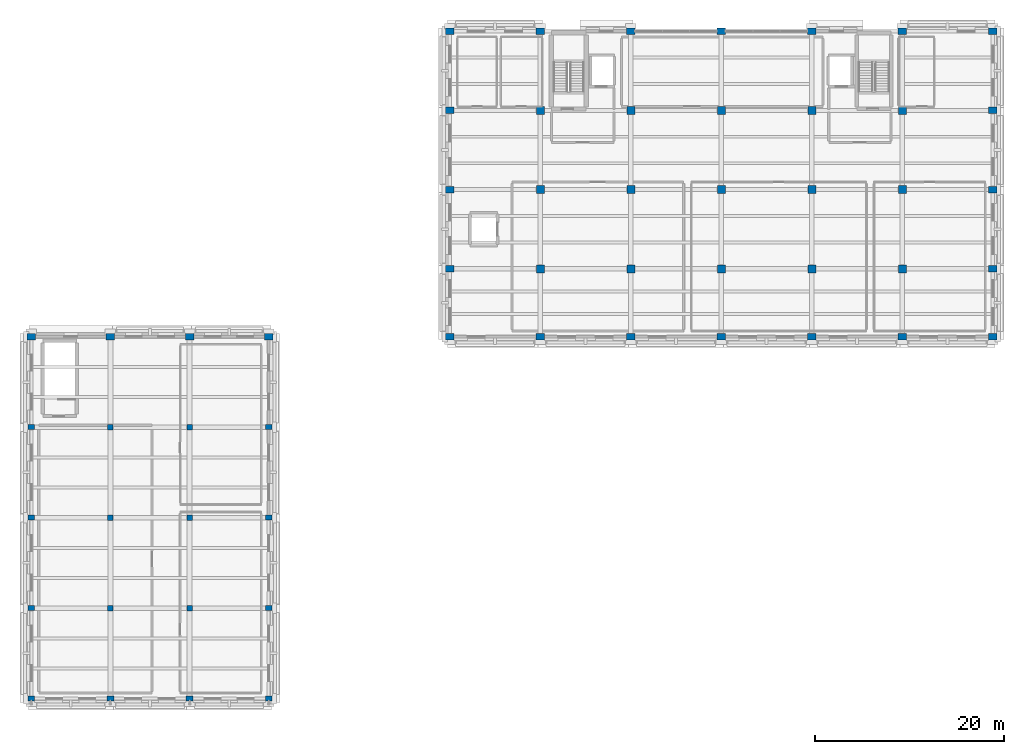
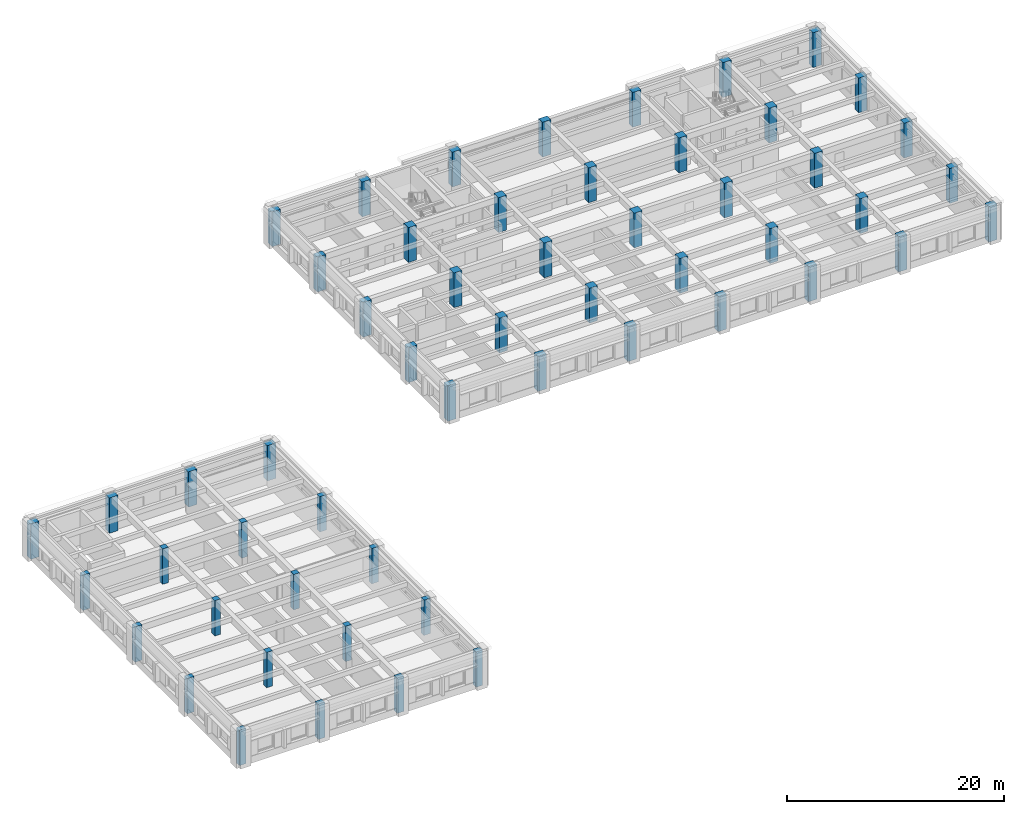
# One storey, part 1 of 17: 55 columns.
"""IFC4 building model written with IfcOpenShell, lengths in metres."""

from ifc_helpers import new_model, si_unit, direction, frame, origin, origin_2d, place, context, subcontext, project, spatial, rectangle, extrude, material, material_profile, profile_set, type_object, element, save


model = new_model("IFC4")

# Units and contexts
model_context = context("Model", 3, precision=1e-05, world=origin(), true_north=direction((0.0, 1.0)))
body_context = subcontext(model_context, "Body", "Model", "MODEL_VIEW")
ifc_project = project(units=[si_unit("LENGTHUNIT", "METRE"), si_unit("AREAUNIT", "SQUARE_METRE"), si_unit("VOLUMEUNIT", "CUBIC_METRE"), si_unit("PLANEANGLEUNIT", "RADIAN"), si_unit("MASSUNIT", "GRAM", prefix="KILO")], contexts=[model_context])

# Site, building, storey
site_placement = place(None, origin())
site = spatial("IfcSite", under=ifc_project, at=site_placement, CompositionType="ELEMENT")
building_placement = place(site_placement, origin())
building = spatial("IfcBuilding", under=site, at=building_placement, Name="Bempovik Park Faculty of Sciences", CompositionType="ELEMENT")
storey_placement = place(building_placement, frame((0.0, 0.0, 22.5)))
storey = spatial("IfcBuildingStorey", under=building, at=storey_placement, Name="L05", CompositionType="ELEMENT", Elevation=22.5)

# Columns
ifc_material = material(Name="Concrete C40/50", Category="concrete")
ifc_material_profile_1 = material_profile(ifc_material, rectangle(XDim=0.719970703125, YDim=0.5400390625, at=origin_2d()), Name="RC 720x540")
ifc_profile_set_1 = profile_set([ifc_material_profile_1], Name="Concrete C40/50")
column_type_1 = type_object("IfcColumnType", Name="C-18 RC 720x540", PredefinedType="COLUMN", material=ifc_profile_set_1)
for number, where, z_axis, x_axis, name in (
    (1, (15.60009765625, 48.60009765625, 0.0), (0.0, 0.0, 1.0), (1.0, 0.0, 0.0), "L05 Structural Column (15.6,48.6)"),
    (2, (15.60009765625, 58.199951171875, 0.0), (0.0, 0.0, 1.0), (1.0, 0.0, 0.0), "L05 Structural Column (15.6,58.2)"),
    (3, (15.60009765625, 67.800048828125, 0.0), (0.0, 0.0, 1.0), (1.0, 0.0, 0.0), "L05 Structural Column (15.6,67.8)"),
    (4, (15.60009765625, 77.39990234375, 0.0), (0.0, 0.0, 1.0), (1.0, 0.0, 0.0), "L05 Structural Column (15.6,77.4)"),
    (5, (24.0, 48.60009765625, 0.0), (0.0, 0.0, 1.0), (1.0, 0.0, 0.0), "L05 Structural Column (24.0,48.6)"),
    (6, (32.39990234375, 48.60009765625, 0.0), (0.0, 0.0, 1.0), (1.0, 0.0, 0.0), "L05 Structural Column (32.4,48.6)"),
    (7, (40.800048828125, 48.60009765625, 0.0), (0.0, 0.0, 1.0), (1.0, 0.0, 0.0), "L05 Structural Column (40.8,48.6)"),
    (8, (40.800048828125, 58.199951171875, 0.0), (0.0, 0.0, 1.0), (1.0, 0.0, 0.0), "L05 Structural Column (40.8,58.2)"),
    (9, (40.800048828125, 67.800048828125, 0.0), (0.0, 0.0, 1.0), (1.0, 0.0, 0.0), "L05 Structural Column (40.8,67.8)"),
    (10, (40.800048828125, 77.39990234375, 0.0), (0.0, 0.0, 1.0), (1.0, 0.0, 0.0), "L05 Structural Column (40.8,77.4)"),
):
    element("IfcColumn", number, at=place(storey_placement, frame(where, z_axis=z_axis, x_axis=x_axis)), inside=storey, type_object=column_type_1, Name=name, PredefinedType="COLUMN", context=body_context, shape_type="SweptSolid", body=[
        extrude(rectangle(XDim=0.719970703125, YDim=0.5400390625, at=origin_2d()), origin(), (0.0, 0.0, 1.0), 3.97998046875),
    ])
ifc_material_profile_2 = material_profile(ifc_material, rectangle(XDim=0.60009765625, YDim=0.60009765625, at=origin_2d()), Name="RC 600x600")
ifc_profile_set_2 = profile_set([ifc_material_profile_2], Name="Concrete C40/50")
column_type_2 = type_object("IfcColumnType", Name="C-21 RC 600x600", PredefinedType="COLUMN", material=ifc_profile_set_2)
for number, where, z_axis, x_axis, name in (
    (11, (24.0, 58.199951171875, 0.0), (0.0, 0.0, 1.0), (1.0, 0.0, 0.0), "L05 Structural Column (24.0,58.2)"),
    (12, (24.0, 67.800048828125, 0.0), (0.0, 0.0, 1.0), (1.0, 0.0, 0.0), "L05 Structural Column (24.0,67.8)"),
    (13, (24.0, 77.39990234375, 0.0), (0.0, 0.0, 1.0), (1.0, 0.0, 0.0), "L05 Structural Column (24.0,77.4)"),
    (14, (32.39990234375, 58.199951171875, 0.0), (0.0, 0.0, 1.0), (1.0, 0.0, 0.0), "L05 Structural Column (32.4,58.2)"),
    (15, (32.39990234375, 67.800048828125, 0.0), (0.0, 0.0, 1.0), (1.0, 0.0, 0.0), "L05 Structural Column (32.4,67.8)"),
    (16, (32.39990234375, 77.39990234375, 0.0), (0.0, 0.0, 1.0), (1.0, 0.0, 0.0), "L05 Structural Column (32.4,77.4)"),
):
    element("IfcColumn", number, at=place(storey_placement, frame(where, z_axis=z_axis, x_axis=x_axis)), inside=storey, type_object=column_type_2, Name=name, PredefinedType="COLUMN", context=body_context, shape_type="SweptSolid", body=[
        extrude(rectangle(XDim=0.60009765625, YDim=0.60009765625, at=origin_2d()), origin(), (0.0, 0.0, 1.0), 3.97998046875),
    ])
ifc_material_profile_3 = material_profile(ifc_material, rectangle(XDim=0.89990234375, YDim=0.699951171875, at=origin_2d()), Name="RC 900x700")
ifc_profile_set_3 = profile_set([ifc_material_profile_3], Name="Concrete C40/50")
column_type_3 = type_object("IfcColumnType", Name="C-25 RC 900x700", PredefinedType="COLUMN", material=ifc_profile_set_3)
for number, where, z_axis, x_axis, name in (
    (17, (15.60009765625, 87.0, 0.0), (0.0, 0.0, 1.0), (1.0, 0.0, 0.0), "L05 Structural Column (15.6,87.0)"),
    (18, (24.0, 87.0, 0.0), (0.0, 0.0, 1.0), (1.0, 0.0, 0.0), "L05 Structural Column (24.0,87.0)"),
    (19, (32.39990234375, 87.0, 0.0), (0.0, 0.0, 1.0), (1.0, 0.0, 0.0), "L05 Structural Column (32.4,87.0)"),
    (20, (40.800048828125, 87.0, 0.0), (0.0, 0.0, 1.0), (1.0, 0.0, 0.0), "L05 Structural Column (40.8,87.0)"),
    (21, (60.0, 87.0, 0.0), (0.0, 0.0, 1.0), (1.0, 0.0, 0.0), "L05 Structural Column (60.0,87.0)"),
):
    element("IfcColumn", number, at=place(storey_placement, frame(where, z_axis=z_axis, x_axis=x_axis)), inside=storey, type_object=column_type_3, Name=name, PredefinedType="COLUMN", context=body_context, shape_type="SweptSolid", body=[
        extrude(rectangle(XDim=0.89990234375, YDim=0.699951171875, at=origin_2d()), origin(), (0.0, 0.0, 1.0), 3.97998046875),
    ])
for number, where, z_axis, x_axis, name in (
    (22, (60.0, 94.199951171875, 0.0), (0.0, 0.0, 1.0), (1.0, 0.0, 0.0), "L05 Structural Column (60.0,94.2)"),
    (23, (60.0, 102.60009765625, 0.0), (0.0, 0.0, 1.0), (1.0, 0.0, 0.0), "L05 Structural Column (60.0,102.6)"),
    (24, (60.0, 111.0, 0.0), (0.0, 0.0, 1.0), (1.0, 0.0, 0.0), "L05 Structural Column (60.0,111.0)"),
    (25, (60.0, 119.39990234375, 0.0), (0.0, 0.0, 1.0), (1.0, 0.0, 0.0), "L05 Structural Column (60.0,119.4)"),
):
    element("IfcColumn", number, at=place(storey_placement, frame(where, z_axis=z_axis, x_axis=x_axis)), inside=storey, type_object=column_type_3, Name=name, PredefinedType="COLUMN", context=body_context, shape_type="SweptSolid", body=[
        extrude(rectangle(XDim=0.89990234375, YDim=0.699951171875, at=origin_2d()), origin(), (0.0, 0.0, 1.0), 3.919921875),
    ])
column_1_placement = place(storey_placement, frame((69.60009765625, 87.0, 0.0), z_axis=(0.0, 0.0, 1.0), x_axis=(1.0, 0.0, 0.0)))
element("IfcColumn", 26, at=column_1_placement, inside=storey, type_object=column_type_3, Name="L05 Structural Column (69.6,87.0)", PredefinedType="COLUMN", context=body_context, shape_type="SweptSolid", body=[
    extrude(rectangle(XDim=0.89990234375, YDim=0.699951171875, at=origin_2d()), origin(), (0.0, 0.0, 1.0), 3.9599609375),
])
column_2_placement = place(storey_placement, frame((69.60009765625, 119.39990234375, 0.0), z_axis=(0.0, 0.0, 1.0), x_axis=(1.0, 0.0, 0.0)))
element("IfcColumn", 27, at=column_2_placement, inside=storey, type_object=column_type_3, Name="L05 Structural Column (69.6,119.4)", PredefinedType="COLUMN", context=body_context, shape_type="SweptSolid", body=[
    extrude(rectangle(XDim=0.89990234375, YDim=0.699951171875, at=origin_2d()), origin(), (0.0, 0.0, 1.0), 3.919921875),
])
column_3_placement = place(storey_placement, frame((79.199951171875, 87.0, 0.0), z_axis=(0.0, 0.0, 1.0), x_axis=(1.0, 0.0, 0.0)))
element("IfcColumn", 28, at=column_3_placement, inside=storey, type_object=column_type_3, Name="L05 Structural Column (79.2,87.0)", PredefinedType="COLUMN", context=body_context, shape_type="SweptSolid", body=[
    extrude(rectangle(XDim=0.89990234375, YDim=0.699951171875, at=origin_2d()), origin(), (0.0, 0.0, 1.0), 3.9599609375),
])
column_4_placement = place(storey_placement, frame((79.199951171875, 119.39990234375, 0.0), z_axis=(0.0, 0.0, 1.0), x_axis=(1.0, 0.0, 0.0)))
element("IfcColumn", 29, at=column_4_placement, inside=storey, type_object=column_type_3, Name="L05 Structural Column (79.2,119.4)", PredefinedType="COLUMN", context=body_context, shape_type="SweptSolid", body=[
    extrude(rectangle(XDim=0.89990234375, YDim=0.699951171875, at=origin_2d()), origin(), (0.0, 0.0, 1.0), 3.919921875),
])
column_5_placement = place(storey_placement, frame((88.800048828125, 87.0, 0.0), z_axis=(0.0, 0.0, 1.0), x_axis=(1.0, 0.0, 0.0)))
element("IfcColumn", 30, at=column_5_placement, inside=storey, type_object=column_type_3, Name="L05 Structural Column (88.8,87.0)", PredefinedType="COLUMN", context=body_context, shape_type="SweptSolid", body=[
    extrude(rectangle(XDim=0.89990234375, YDim=0.699951171875, at=origin_2d()), origin(), (0.0, 0.0, 1.0), 3.9599609375),
])
column_6_placement = place(storey_placement, frame((88.800048828125, 119.39990234375, 0.0), z_axis=(0.0, 0.0, 1.0), x_axis=(1.0, 0.0, 0.0)))
element("IfcColumn", 31, at=column_6_placement, inside=storey, type_object=column_type_3, Name="L05 Structural Column (88.8,119.4)", PredefinedType="COLUMN", context=body_context, shape_type="SweptSolid", body=[
    extrude(rectangle(XDim=0.89990234375, YDim=0.699951171875, at=origin_2d()), origin(), (0.0, 0.0, 1.0), 3.919921875),
])
column_7_placement = place(storey_placement, frame((98.39990234375, 87.0, 0.0), z_axis=(0.0, 0.0, 1.0), x_axis=(1.0, 0.0, 0.0)))
element("IfcColumn", 32, at=column_7_placement, inside=storey, type_object=column_type_3, Name="L05 Structural Column (98.4,87.0)", PredefinedType="COLUMN", context=body_context, shape_type="SweptSolid", body=[
    extrude(rectangle(XDim=0.89990234375, YDim=0.699951171875, at=origin_2d()), origin(), (0.0, 0.0, 1.0), 3.9599609375),
])
column_8_placement = place(storey_placement, frame((98.39990234375, 119.39990234375, 0.0), z_axis=(0.0, 0.0, 1.0), x_axis=(1.0, 0.0, 0.0)))
element("IfcColumn", 33, at=column_8_placement, inside=storey, type_object=column_type_3, Name="L05 Structural Column (98.4,119.4)", PredefinedType="COLUMN", context=body_context, shape_type="SweptSolid", body=[
    extrude(rectangle(XDim=0.89990234375, YDim=0.699951171875, at=origin_2d()), origin(), (0.0, 0.0, 1.0), 3.919921875),
])
column_9_placement = place(storey_placement, frame((108.0, 87.0, 0.0), z_axis=(0.0, 0.0, 1.0), x_axis=(1.0, 0.0, 0.0)))
element("IfcColumn", 34, at=column_9_placement, inside=storey, type_object=column_type_3, Name="L05 Structural Column (108.0,87.0)", PredefinedType="COLUMN", context=body_context, shape_type="SweptSolid", body=[
    extrude(rectangle(XDim=0.89990234375, YDim=0.699951171875, at=origin_2d()), origin(), (0.0, 0.0, 1.0), 3.9599609375),
])
column_10_placement = place(storey_placement, frame((108.0, 119.39990234375, 0.0), z_axis=(0.0, 0.0, 1.0), x_axis=(1.0, 0.0, 0.0)))
element("IfcColumn", 35, at=column_10_placement, inside=storey, type_object=column_type_3, Name="L05 Structural Column (108.0,119.4)", PredefinedType="COLUMN", context=body_context, shape_type="SweptSolid", body=[
    extrude(rectangle(XDim=0.89990234375, YDim=0.699951171875, at=origin_2d()), origin(), (0.0, 0.0, 1.0), 3.919921875),
])
column_11_placement = place(storey_placement, frame((117.60009765625, 87.0, 0.0), z_axis=(0.0, 0.0, 1.0), x_axis=(1.0, 0.0, 0.0)))
element("IfcColumn", 36, at=column_11_placement, inside=storey, type_object=column_type_3, Name="L05 Structural Column (117.6,87.0)", PredefinedType="COLUMN", context=body_context, shape_type="SweptSolid", body=[
    extrude(rectangle(XDim=0.89990234375, YDim=0.699951171875, at=origin_2d()), origin(), (0.0, 0.0, 1.0), 3.97998046875),
])
for number, where, z_axis, x_axis, name in (
    (37, (117.60009765625, 94.199951171875, 0.0), (0.0, 0.0, 1.0), (1.0, 0.0, 0.0), "L05 Structural Column (117.6,94.2)"),
    (38, (117.60009765625, 102.60009765625, 0.0), (0.0, 0.0, 1.0), (1.0, 0.0, 0.0), "L05 Structural Column (117.6,102.6)"),
    (39, (117.60009765625, 111.0, 0.0), (0.0, 0.0, 1.0), (1.0, 0.0, 0.0), "L05 Structural Column (117.6,111.0)"),
    (40, (117.60009765625, 119.39990234375, 0.0), (0.0, 0.0, 1.0), (1.0, 0.0, 0.0), "L05 Structural Column (117.6,119.4)"),
):
    element("IfcColumn", number, at=place(storey_placement, frame(where, z_axis=z_axis, x_axis=x_axis)), inside=storey, type_object=column_type_3, Name=name, PredefinedType="COLUMN", context=body_context, shape_type="SweptSolid", body=[
        extrude(rectangle(XDim=0.89990234375, YDim=0.699951171875, at=origin_2d()), origin(), (0.0, 0.0, 1.0), 3.919921875),
    ])
ifc_material_profile_4 = material_profile(ifc_material, rectangle(XDim=0.85009765625, YDim=0.85009765625, at=origin_2d()), Name="RC 850x850")
ifc_profile_set_4 = profile_set([ifc_material_profile_4], Name="Concrete C40/50")
column_type_4 = type_object("IfcColumnType", Name="C-36 RC 850x850", PredefinedType="COLUMN", material=ifc_profile_set_4)
for number, where, z_axis, x_axis, name in (
    (41, (69.60009765625, 94.199951171875, 0.0), (0.0, 0.0, 1.0), (1.0, 0.0, 0.0), "L05 Structural Column (69.6,94.2)"),
    (42, (69.60009765625, 102.60009765625, 0.0), (0.0, 0.0, 1.0), (1.0, 0.0, 0.0), "L05 Structural Column (69.6,102.6)"),
    (43, (69.60009765625, 111.0, 0.0), (0.0, 0.0, 1.0), (1.0, 0.0, 0.0), "L05 Structural Column (69.6,111.0)"),
    (44, (79.199951171875, 94.199951171875, 0.0), (0.0, 0.0, 1.0), (1.0, 0.0, 0.0), "L05 Structural Column (79.2,94.2)"),
    (45, (79.199951171875, 102.60009765625, 0.0), (0.0, 0.0, 1.0), (1.0, 0.0, 0.0), "L05 Structural Column (79.2,102.6)"),
    (46, (79.199951171875, 111.0, 0.0), (0.0, 0.0, 1.0), (1.0, 0.0, 0.0), "L05 Structural Column (79.2,111.0)"),
    (47, (88.800048828125, 94.199951171875, 0.0), (0.0, 0.0, 1.0), (1.0, 0.0, 0.0), "L05 Structural Column (88.8,94.2)"),
    (48, (88.800048828125, 102.60009765625, 0.0), (0.0, 0.0, 1.0), (1.0, 0.0, 0.0), "L05 Structural Column (88.8,102.6)"),
    (49, (88.800048828125, 111.0, 0.0), (0.0, 0.0, 1.0), (1.0, 0.0, 0.0), "L05 Structural Column (88.8,111.0)"),
    (50, (98.39990234375, 94.199951171875, 0.0), (0.0, 0.0, 1.0), (1.0, 0.0, 0.0), "L05 Structural Column (98.4,94.2)"),
    (51, (98.39990234375, 102.60009765625, 0.0), (0.0, 0.0, 1.0), (1.0, 0.0, 0.0), "L05 Structural Column (98.4,102.6)"),
    (52, (98.39990234375, 111.0, 0.0), (0.0, 0.0, 1.0), (1.0, 0.0, 0.0), "L05 Structural Column (98.4,111.0)"),
    (53, (108.0, 94.199951171875, 0.0), (0.0, 0.0, 1.0), (1.0, 0.0, 0.0), "L05 Structural Column (108.0,94.2)"),
    (54, (108.0, 102.60009765625, 0.0), (0.0, 0.0, 1.0), (1.0, 0.0, 0.0), "L05 Structural Column (108.0,102.6)"),
    (55, (108.0, 111.0, 0.0), (0.0, 0.0, 1.0), (1.0, 0.0, 0.0), "L05 Structural Column (108.0,111.0)"),
):
    element("IfcColumn", number, at=place(storey_placement, frame(where, z_axis=z_axis, x_axis=x_axis)), inside=storey, type_object=column_type_4, Name=name, PredefinedType="COLUMN", context=body_context, shape_type="SweptSolid", body=[
        extrude(rectangle(XDim=0.85009765625, YDim=0.85009765625, at=origin_2d()), origin(), (0.0, 0.0, 1.0), 3.919921875),
    ])

save(model, "model.ifc")
